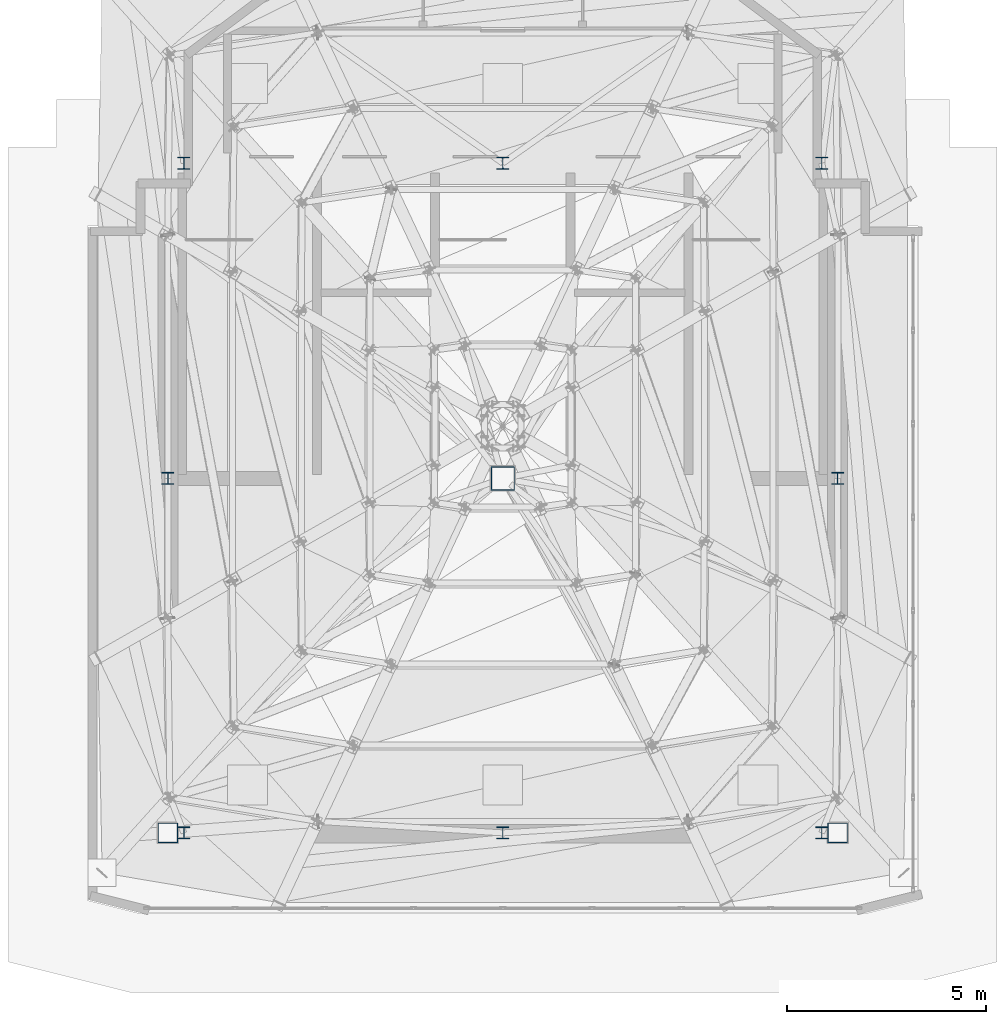
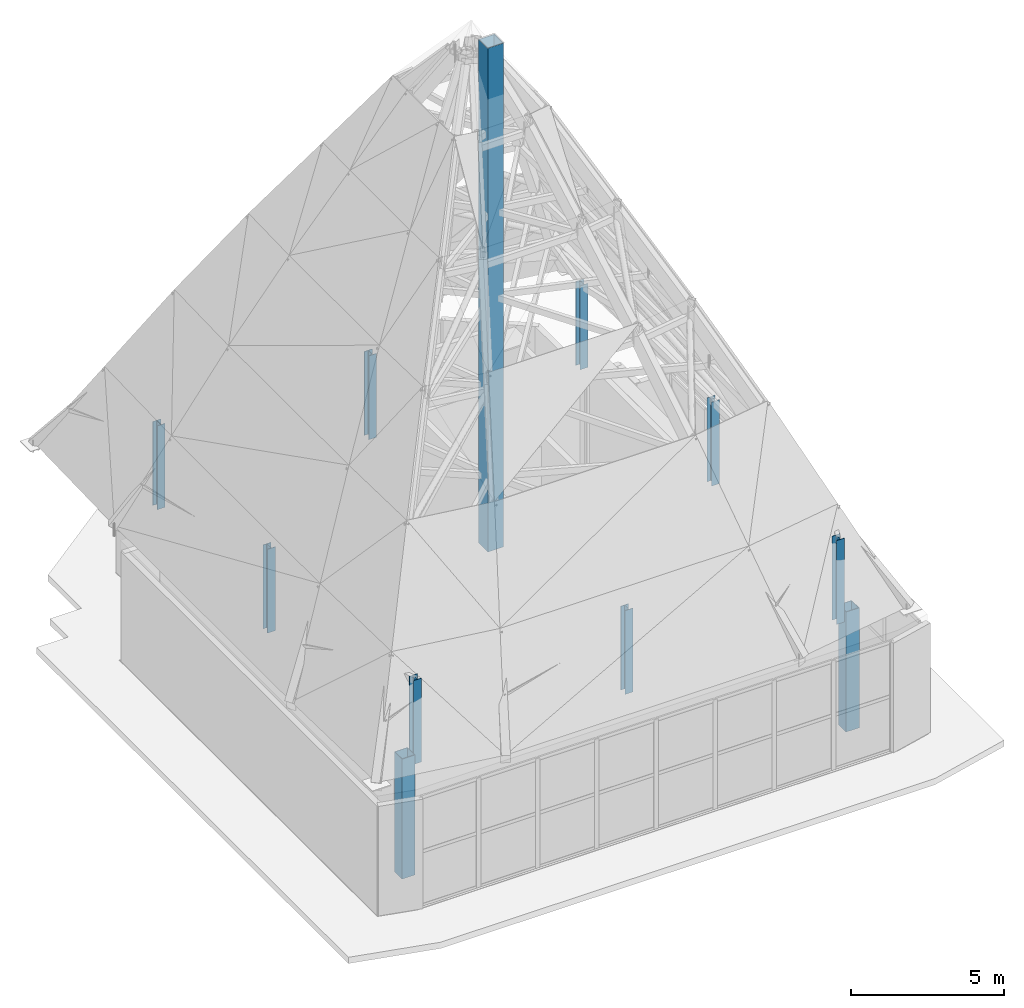
# One storey, part 1 of 30: 11 columns.
"""IFC4 building model written with IfcOpenShell, lengths in metres."""

from ifc_helpers import new_model, si_unit, direction, frame, origin, origin_2d, place, context, subcontext, project, spatial, hollow_rectangle, i_section, extrude, material, material_profile, profile_set, type_object, element, save


model = new_model("IFC4")

# Units and contexts
model_context = context("Model", 3, precision=1e-05, world=origin(), true_north=direction((0.0, 1.0)))
body_context = subcontext(model_context, "Body", "Model", "MODEL_VIEW")
ifc_project = project(units=[si_unit("LENGTHUNIT", "METRE"), si_unit("AREAUNIT", "SQUARE_METRE"), si_unit("VOLUMEUNIT", "CUBIC_METRE"), si_unit("PLANEANGLEUNIT", "RADIAN"), si_unit("MASSUNIT", "GRAM", prefix="KILO")], contexts=[model_context])

# Site, building, storey
site_placement = place(None, origin())
site = spatial("IfcSite", under=ifc_project, at=site_placement, CompositionType="ELEMENT")
building_placement = place(site_placement, origin())
building = spatial("IfcBuilding", under=site, at=building_placement, Name="Haolan Belvedere Tower", CompositionType="ELEMENT")
storey_placement = place(building_placement, frame((0.0, 0.0, 333.0)))
storey = spatial("IfcBuildingStorey", under=building, at=storey_placement, Name="L83", CompositionType="ELEMENT", Elevation=333.0)

# Columns
ifc_material_1 = material(Name="Steel Q390GJC", Category="steel")
ifc_material_profile_1 = material_profile(ifc_material_1, hollow_rectangle(XDim=0.5, YDim=0.5, WallThickness=0.02001953125, at=origin_2d()), Name="Steel Q390GJC")
ifc_profile_set_1 = profile_set([ifc_material_profile_1], Name="Steel Q390GJC")
column_type_1 = type_object("IfcColumnType", Name="COL-BOX500x500x20", PredefinedType="COLUMN", material=ifc_profile_set_1)
for number, where, z_axis, x_axis, name in (
    (1, (30.0, 26.39990234375, 0.0), (0.0, 0.0, 1.0), (1.0, 0.0, 0.0), "L83 column CC-CR-SW (BOX500x500x20)"),
    (2, (46.800048828125, 26.39990234375, 0.0), (0.0, 0.0, 1.0), (1.0, 0.0, 0.0), "L83 column CC-CR-SE (BOX500x500x20)"),
):
    element("IfcColumn", number, at=place(storey_placement, frame(where, z_axis=z_axis, x_axis=x_axis)), inside=storey, type_object=column_type_1, Name=name, PredefinedType="COLUMN", context=body_context, shape_type="SweptSolid", body=[
        extrude(hollow_rectangle(XDim=0.5, YDim=0.5, WallThickness=0.02001953125, at=origin_2d()), origin(), (0.0, 0.0, 1.0), 4.800048828125),
    ])
ifc_material_profile_2 = material_profile(ifc_material_1, hollow_rectangle(XDim=0.60009765625, YDim=0.60009765625, WallThickness=0.02392578125, at=origin_2d()), Name="Steel Q390GJC")
ifc_profile_set_2 = profile_set([ifc_material_profile_2], Name="Steel Q390GJC")
column_type_2 = type_object("IfcColumnType", Name="COL-BOX600x600x24", PredefinedType="COLUMN", material=ifc_profile_set_2)
column_placement = place(storey_placement, frame((38.39990234375, 35.2900390625, 4.800048828125), z_axis=(0.0, 0.0, 1.0), x_axis=(1.0, 0.0, 0.0)))
element("IfcColumn", 3, at=column_placement, inside=storey, type_object=column_type_2, Name="L83 crown central spire mast column (BOX600x600x24)", PredefinedType="COLUMN", context=body_context, shape_type="SweptSolid", body=[
    extrude(hollow_rectangle(XDim=0.60009765625, YDim=0.60009765625, WallThickness=0.02392578125, at=origin_2d()), origin(), (0.0, 0.0, 1.0), 20.14990234375),
])
ifc_material_2 = material(Name="Steel Q355B", Category="steel")
ifc_material_profile_3 = material_profile(ifc_material_2, i_section(OverallWidth=0.300048828125, OverallDepth=0.300048828125, WebThickness=0.010009765625, FlangeThickness=0.014892578125, FilletRadius=0.01806640625, at=origin_2d()), Name="Steel Q355B")
ifc_profile_set_3 = profile_set([ifc_material_profile_3], Name="Steel Q355B")
column_type_3 = type_object("IfcColumnType", Name="COL-HW300x300x10x15", PredefinedType="COLUMN", material=ifc_profile_set_3)
for number, where, z_axis, x_axis, name in (
    (4, (30.39990234375, 26.39990234375, 4.35009765625), (0.0, 0.0, 1.0), (1.0, 0.0, 0.0), "Crown Tier-1 facet bearing stub column 1 (HW300x300x10x15)"),
    (5, (46.39990234375, 26.39990234375, 4.35009765625), (0.0, 0.0, 1.0), (1.0, 0.0, 0.0), "Crown Tier-1 facet bearing stub column 2 (HW300x300x10x15)"),
    (6, (46.39990234375, 43.199951171875, 4.35009765625), (0.0, 0.0, 1.0), (1.0, 0.0, 0.0), "Crown Tier-1 facet bearing stub column 3 (HW300x300x10x15)"),
    (7, (30.39990234375, 43.199951171875, 4.35009765625), (0.0, 0.0, 1.0), (1.0, 0.0, 0.0), "Crown Tier-1 facet bearing stub column 4 (HW300x300x10x15)"),
    (8, (38.39990234375, 26.39990234375, 4.35009765625), (0.0, 0.0, 1.0), (1.0, 0.0, 0.0), "Crown Tier-1 core-wall bearing post 1 (HW300x300x10x15)"),
    (9, (46.800048828125, 35.2900390625, 4.35009765625), (0.0, 0.0, 1.0), (1.0, 0.0, 0.0), "Crown Tier-1 core-wall bearing post 2 (HW300x300x10x15)"),
    (10, (38.39990234375, 43.199951171875, 4.35009765625), (0.0, 0.0, 1.0), (1.0, 0.0, 0.0), "Crown Tier-1 core-wall bearing post 3 (HW300x300x10x15)"),
    (11, (30.0, 35.2900390625, 4.35009765625), (0.0, 0.0, 1.0), (1.0, 0.0, 0.0), "Crown Tier-1 core-wall bearing post 4 (HW300x300x10x15)"),
):
    element("IfcColumn", number, at=place(storey_placement, frame(where, z_axis=z_axis, x_axis=x_axis)), inside=storey, type_object=column_type_3, Name=name, PredefinedType="COLUMN", context=body_context, shape_type="SweptSolid", body=[
        extrude(i_section(OverallWidth=0.300048828125, OverallDepth=0.300048828125, WebThickness=0.010009765625, FlangeThickness=0.014892578125, FilletRadius=0.01806640625, at=origin_2d()), origin(), (0.0, 0.0, 1.0), 3.35400390625),
    ])

save(model, "model.ifc")
